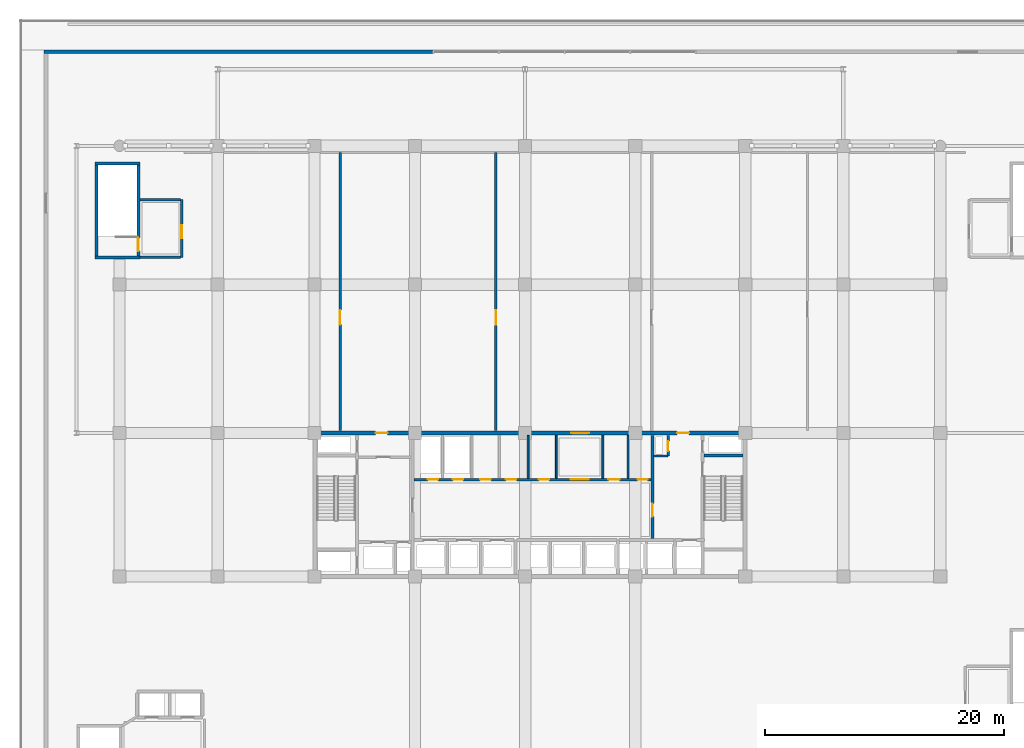
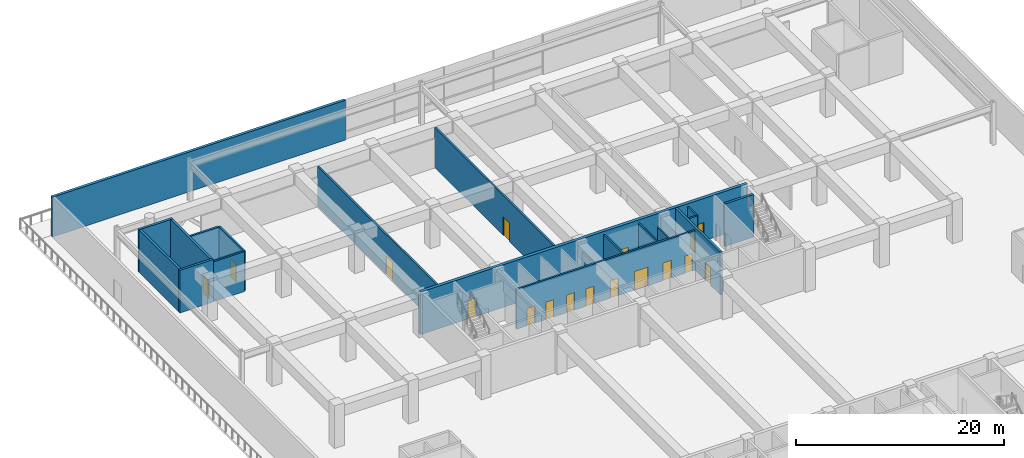
# One storey, part 29 of 38: 20 walls, 17 doors, 17 openings.
"""IFC4 building model written with IfcOpenShell, lengths in metres."""

from ifc_helpers import new_model, si_unit, direction, frame, frame_2d, origin, place, context, subcontext, project, spatial, rectangle, extrude, material, layer, layer_set, type_object, element, fill, save


model = new_model("IFC4")

# Units and contexts
model_context = context("Model", 3, precision=1e-05, world=origin(), true_north=direction((0.0, 1.0)))
body_context = subcontext(model_context, "Body", "Model", "MODEL_VIEW")
ifc_project = project(units=[si_unit("LENGTHUNIT", "METRE"), si_unit("AREAUNIT", "SQUARE_METRE"), si_unit("VOLUMEUNIT", "CUBIC_METRE"), si_unit("PLANEANGLEUNIT", "RADIAN"), si_unit("MASSUNIT", "GRAM", prefix="KILO")], contexts=[model_context])

# Site, building, storey
site_placement = place(None, origin())
site = spatial("IfcSite", under=ifc_project, at=site_placement, CompositionType="ELEMENT")
building_placement = place(site_placement, origin())
building = spatial("IfcBuilding", under=site, at=building_placement, Name="Korimba Cascade Residences", CompositionType="ELEMENT")
storey_placement = place(building_placement, frame((0.0, 0.0, 19.0)))
storey = spatial("IfcBuildingStorey", under=building, at=storey_placement, Name="L04", CompositionType="ELEMENT", Elevation=19.0)

# Wall
ifc_material_1 = material(Name="Precast concrete C40/50", Category="concrete")
ifc_layer_1 = layer(ifc_material_1, 0.300048828125)
ifc_layer_set_1 = layer_set([ifc_layer_1], Name="Precast concrete C40/50")
wall_type_1 = type_object("IfcWallType", Name="EW-STONE-300", PredefinedType="STANDARD", material=ifc_layer_set_1)
wall_1_placement = place(storey_placement, frame((86.0, 99.050048828125, 0.0), z_axis=(0.0, 0.0, 1.0), x_axis=(-1.0, 0.0, 0.0)))
element("IfcWall", 1, at=wall_1_placement, inside=storey, type_object=wall_type_1, Name="L04 North-West Podium Wall", PredefinedType="STANDARD", context=body_context, shape_type="SweptSolid", body=[
    extrude(rectangle(XDim=32.5, YDim=0.300048828125, at=frame_2d((16.25, 0.0))), origin(), (0.0, 0.0, 1.0), 4.679931640625),
])

# Wall, openings, doors
ifc_material_2 = material(Name="Concrete C65/80", Category="concrete")
ifc_layer_2 = layer(ifc_material_2, 0.35009765625)
ifc_layer_set_2 = layer_set([ifc_layer_2], Name="Concrete C65/80")
wall_type_2 = type_object("IfcWallType", Name="WAL-CORE-350", PredefinedType="SHEAR", material=ifc_layer_set_2)
wall_2_placement = place(storey_placement, frame((75.949951171875, 67.199951171875, 0.0), z_axis=(0.0, 0.0, 1.0), x_axis=(1.0, 0.0, 0.0)))
wall_2 = element("IfcWall", 2, at=wall_2_placement, inside=storey, type_object=wall_type_2, Name="L04 Core Shear Wall CW-L04-T1-N", PredefinedType="SHEAR", context=body_context, shape_type="SweptSolid", body=[
    extrude(rectangle(XDim=36.300048828125, YDim=0.35009765625, at=frame_2d((18.14990234375, 0.0))), origin(), (0.0, 0.0, 1.0), 5.0),
])
opening_1_placement = place(wall_2_placement, frame((5.25, 0.0, 0.0)))
opening_1 = element("IfcOpeningElement", 3, at=opening_1_placement, cuts=wall_2, Name="Opening D-FD5", PredefinedType="OPENING", context=body_context, shape_type="SweptSolid", body=[
    extrude(rectangle(XDim=1.0, YDim=2.14990234375, at=frame_2d((0.5, 1.074951171875))), frame((0.0, 0.18505859375, 0.0), z_axis=(0.0, -1.0, 0.0), x_axis=(1.0, 0.0, 0.0)), (0.0, 0.0, 1.0), 0.3701171875),
])
opening_2_placement = place(wall_2_placement, frame((21.60009765625, 0.0, 0.0)))
opening_2 = element("IfcOpeningElement", 4, at=opening_2_placement, cuts=wall_2, Name="Opening D-FD8", PredefinedType="OPENING", context=body_context, shape_type="SweptSolid", body=[
    extrude(rectangle(XDim=1.5, YDim=2.199951171875, at=frame_2d((0.75, 1.10009765625))), frame((0.0, 0.18505859375, 0.0), z_axis=(0.0, -1.0, 0.0), x_axis=(1.0, 0.0, 0.0)), (0.0, 0.0, 1.0), 0.3701171875),
])
opening_3_placement = place(wall_2_placement, frame((30.449951171875, 0.0, 0.0)))
opening_3 = element("IfcOpeningElement", 5, at=opening_3_placement, cuts=wall_2, Name="Opening D-FD5", PredefinedType="OPENING", context=body_context, shape_type="SweptSolid", body=[
    extrude(rectangle(XDim=1.0, YDim=2.14990234375, at=frame_2d((0.5, 1.074951171875))), frame((0.0, 0.18505859375, 0.0), z_axis=(0.0, -1.0, 0.0), x_axis=(1.0, 0.0, 0.0)), (0.0, 0.0, 1.0), 0.3701171875),
])
ifc_material_3 = material(Name="Fire-Rated Acoustic Timber Vestibule Door", Category="wood")
door_type_1 = type_object("IfcDoorType", Name="DR-FD90-1000", OperationType="NOTDEFINED", PredefinedType="DOOR", material=ifc_material_3)
door_1_placement = place(opening_1_placement, origin())
door_1 = element("IfcDoor", 6, at=door_1_placement, inside=storey, type_object=door_type_1, Name="L04 T1 West Core Vestibule Fire Door", OperationType="SINGLE_SWING_RIGHT", OverallHeight=2.14990234375, OverallWidth=1.0, PredefinedType="DOOR", context=body_context, shape_type="SweptSolid", body=[
    extrude(rectangle(XDim=1.0, YDim=2.14990234375, at=frame_2d((0.5, 1.074951171875))), frame((0.0, 0.02490234375, 0.0), z_axis=(0.0, -1.0, 0.0), x_axis=(1.0, 0.0, 0.0)), (0.0, 0.0, 1.0), 0.050048828125),
])
fill(opening_1, door_1)
door_2_placement = place(opening_3_placement, origin())
door_2 = element("IfcDoor", 7, at=door_2_placement, inside=storey, type_object=door_type_1, Name="L04 T1 East Firefighting Vestibule Fire Door", OperationType="SINGLE_SWING_LEFT", OverallHeight=2.14990234375, OverallWidth=1.0, PredefinedType="DOOR", context=body_context, shape_type="SweptSolid", body=[
    extrude(rectangle(XDim=1.0, YDim=2.14990234375, at=frame_2d((0.5, 1.074951171875))), frame((0.0, 0.02490234375, 0.0), z_axis=(0.0, -1.0, 0.0), x_axis=(1.0, 0.0, 0.0)), (0.0, 0.0, 1.0), 0.050048828125),
])
fill(opening_3, door_2)
ifc_material_4 = material(Name="Fire-Rated Glazed Lift Lobby Double Door", Category="glass")
door_type_2 = type_object("IfcDoorType", Name="DR-FD90-1500", OperationType="NOTDEFINED", PredefinedType="DOOR", material=ifc_material_4)
door_3_placement = place(opening_2_placement, origin())
door_3 = element("IfcDoor", 8, at=door_3_placement, inside=storey, type_object=door_type_2, Name="L04 T1 Lift Lobby Fire Door", OperationType="DOUBLE_DOOR_SINGLE_SWING", OverallHeight=2.199951171875, OverallWidth=1.5, PredefinedType="DOOR", context=body_context, shape_type="SweptSolid", body=[
    extrude(rectangle(XDim=1.5, YDim=2.199951171875, at=frame_2d((0.75, 1.10009765625))), frame((0.0, 0.02490234375, 0.0), z_axis=(0.0, -1.0, 0.0), x_axis=(1.0, 0.0, 0.0)), (0.0, 0.0, 1.0), 0.050048828125),
])
fill(opening_2, door_3)

# Walls
ifc_material_5 = material(Name="Insulated Acoustic Stud Partition", Category="gypsum")
ifc_layer_3 = layer(ifc_material_5, 0.14990234375)
ifc_layer_set_3 = layer_set([ifc_layer_3], Name="Insulated Acoustic Stud Partition")
wall_type_3 = type_object("IfcWallType", Name="WAL-PART-150", PredefinedType="PARTITIONING", material=ifc_layer_set_3)
for number, where, z_axis, x_axis, name in (
    (9, (93.949951171875, 63.39990234375, 0.0), (0.0, 0.0, 1.0), (0.0, 1.0, 0.0), "L04 Partition Wall CW-L04-T1-CA1W2"),
    (10, (102.300048828125, 63.39990234375, 0.0), (0.0, 0.0, 1.0), (0.0, 1.0, 0.0), "L04 Partition Wall CW-L04-T1-CA1E1"),
):
    element("IfcWall", number, at=place(storey_placement, frame(where, z_axis=z_axis, x_axis=x_axis)), inside=storey, type_object=wall_type_3, Name=name, PredefinedType="PARTITIONING", context=body_context, shape_type="SweptSolid", body=[
        extrude(rectangle(XDim=3.60009765625, YDim=0.14990234375, at=frame_2d((1.800048828125, 0.0))), origin(), (0.0, 0.0, 1.0), 3.429931640625),
    ])
for number, where, z_axis, x_axis, name in (
    (11, (96.300048828125, 63.39990234375, 0.0), (0.0, 0.0, 1.0), (0.0, 1.0, 0.0), "L04 Partition Wall CW-L04-T1-THW"),
    (12, (100.199951171875, 63.39990234375, 0.0), (0.0, 0.0, 1.0), (0.0, 1.0, 0.0), "L04 Partition Wall CW-L04-T1-THE"),
):
    element("IfcWall", number, at=place(storey_placement, frame(where, z_axis=z_axis, x_axis=x_axis)), inside=storey, type_object=wall_type_3, Name=name, PredefinedType="PARTITIONING", context=body_context, shape_type="SweptSolid", body=[
        extrude(rectangle(XDim=3.60009765625, YDim=0.14990234375, at=frame_2d((1.800048828125, 0.0))), origin(), (0.0, 0.0, 1.0), 4.679931640625),
    ])

# Wall, openings, doors
ifc_material_6 = material(Name="Concrete C40/50", Category="concrete")
ifc_layer_4 = layer(ifc_material_6, 0.199951171875)
ifc_layer_set_4 = layer_set([ifc_layer_4], Name="Concrete C40/50")
wall_type_4 = type_object("IfcWallType", Name="WAL-PART-200", PredefinedType="PARTITIONING", material=ifc_layer_set_4)
wall_3_placement = place(storey_placement, frame((84.419921875, 63.300048828125, 0.0), z_axis=(0.0, 0.0, 1.0), x_axis=(1.0, 0.0, 0.0)))
wall_3 = element("IfcWall", 13, at=wall_3_placement, inside=storey, type_object=wall_type_4, Name="L04 Partition Wall CW-L04-T1-SRVROW", PredefinedType="PARTITIONING", context=body_context, shape_type="SweptSolid", body=[
    extrude(rectangle(XDim=19.830078125, YDim=0.199951171875, at=frame_2d((9.9150390625, 0.0))), origin(), (0.0, 0.0, 1.0), 4.679931640625),
])
opening_4_placement = place(wall_3_placement, frame((1.14990234375, 0.0, 0.0)))
opening_4 = element("IfcOpeningElement", 14, at=opening_4_placement, cuts=wall_3, Name="Opening D-RS1", PredefinedType="OPENING", context=body_context, shape_type="SweptSolid", body=[
    extrude(rectangle(XDim=0.85009765625, YDim=2.050048828125, at=frame_2d((0.425048828125, 1.02490234375))), frame((0.0, 0.10986328125, 0.0), z_axis=(0.0, -1.0, 0.0), x_axis=(1.0, 0.0, 0.0)), (0.0, 0.0, 1.0), 0.219970703125),
])
opening_5_placement = place(wall_3_placement, frame((3.25, 0.0, 0.0)))
opening_5 = element("IfcOpeningElement", 15, at=opening_5_placement, cuts=wall_3, Name="Opening D-RS1", PredefinedType="OPENING", context=body_context, shape_type="SweptSolid", body=[
    extrude(rectangle(XDim=0.85009765625, YDim=2.050048828125, at=frame_2d((0.425048828125, 1.02490234375))), frame((0.0, 0.10986328125, 0.0), z_axis=(0.0, -1.0, 0.0), x_axis=(1.0, 0.0, 0.0)), (0.0, 0.0, 1.0), 0.219970703125),
])
opening_6_placement = place(wall_3_placement, frame((13.080078125, 0.0, 0.0)))
opening_6 = element("IfcOpeningElement", 16, at=opening_6_placement, cuts=wall_3, Name="Opening D-FD8", PredefinedType="OPENING", context=body_context, shape_type="SweptSolid", body=[
    extrude(rectangle(XDim=1.5, YDim=2.199951171875, at=frame_2d((0.75, 1.10009765625))), frame((0.0, 0.10986328125, 0.0), z_axis=(0.0, -1.0, 0.0), x_axis=(1.0, 0.0, 0.0)), (0.0, 0.0, 1.0), 0.219970703125),
])
opening_7_placement = place(wall_3_placement, frame((5.530029296875, 0.0, 0.0)))
opening_7 = element("IfcOpeningElement", 17, at=opening_7_placement, cuts=wall_3, Name="Opening D-IN2", PredefinedType="OPENING", context=body_context, shape_type="SweptSolid", body=[
    extrude(rectangle(XDim=0.8798828125, YDim=2.06005859375, at=frame_2d((0.43994140625, 1.030029296875))), frame((0.0, 0.10986328125, 0.0), z_axis=(0.0, -1.0, 0.0), x_axis=(1.0, 0.0, 0.0)), (0.0, 0.0, 1.0), 0.219970703125),
])
opening_8_placement = place(wall_3_placement, frame((7.679931640625, 0.0, 0.0)))
opening_8 = element("IfcOpeningElement", 18, at=opening_8_placement, cuts=wall_3, Name="Opening D-IN2", PredefinedType="OPENING", context=body_context, shape_type="SweptSolid", body=[
    extrude(rectangle(XDim=0.8798828125, YDim=2.06005859375, at=frame_2d((0.43994140625, 1.030029296875))), frame((0.0, 0.10986328125, 0.0), z_axis=(0.0, -1.0, 0.0), x_axis=(1.0, 0.0, 0.0)), (0.0, 0.0, 1.0), 0.219970703125),
])
opening_9_placement = place(wall_3_placement, frame((10.429931640625, 0.0, 0.0)))
opening_9 = element("IfcOpeningElement", 19, at=opening_9_placement, cuts=wall_3, Name="Opening D-RS1", PredefinedType="OPENING", context=body_context, shape_type="SweptSolid", body=[
    extrude(rectangle(XDim=0.85009765625, YDim=2.050048828125, at=frame_2d((0.425048828125, 1.02490234375))), frame((0.0, 0.10986328125, 0.0), z_axis=(0.0, -1.0, 0.0), x_axis=(1.0, 0.0, 0.0)), (0.0, 0.0, 1.0), 0.219970703125),
])
opening_10_placement = place(wall_3_placement, frame((16.22998046875, 0.0, 0.0)))
opening_10 = element("IfcOpeningElement", 20, at=opening_10_placement, cuts=wall_3, Name="Opening D-AC1", PredefinedType="OPENING", context=body_context, shape_type="SweptSolid", body=[
    extrude(rectangle(XDim=0.9599609375, YDim=2.10009765625, at=frame_2d((0.47998046875, 1.050048828125))), frame((0.0, 0.10986328125, 0.0), z_axis=(0.0, -1.0, 0.0), x_axis=(1.0, 0.0, 0.0)), (0.0, 0.0, 1.0), 0.219970703125),
])
opening_11_placement = place(wall_3_placement, frame((18.679931640625, 0.0, 0.0)))
opening_11 = element("IfcOpeningElement", 21, at=opening_11_placement, cuts=wall_3, Name="Opening D-BT1", PredefinedType="OPENING", context=body_context, shape_type="SweptSolid", body=[
    extrude(rectangle(XDim=0.840087890625, YDim=2.0400390625, at=frame_2d((0.419921875, 1.02001953125))), frame((0.0, 0.10986328125, 0.0), z_axis=(0.0, -1.0, 0.0), x_axis=(1.0, 0.0, 0.0)), (0.0, 0.0, 1.0), 0.219970703125),
])
ifc_material_7 = material(Name="Accessible Acoustic Timber WC Door", Category="wood")
door_type_3 = type_object("IfcDoorType", Name="DR-ACC-950", OperationType="NOTDEFINED", PredefinedType="DOOR", material=ifc_material_7)
door_4_placement = place(opening_10_placement, origin())
door_4 = element("IfcDoor", 22, at=door_4_placement, inside=storey, type_object=door_type_3, Name="L04 Accessible Staff WC Door", OperationType="SINGLE_SWING_LEFT", OverallHeight=2.10009765625, OverallWidth=0.9599609375, PredefinedType="DOOR", context=body_context, shape_type="SweptSolid", body=[
    extrude(rectangle(XDim=0.9599609375, YDim=2.10009765625, at=frame_2d((0.47998046875, 1.050048828125))), frame((0.0, 0.02490234375, 0.0), z_axis=(0.0, -1.0, 0.0), x_axis=(1.0, 0.0, 0.0)), (0.0, 0.0, 1.0), 0.050048828125),
])
fill(opening_10, door_4)
ifc_material_8 = material(Name="Fire-Rated Steel Riser Access Door", Category="steel")
door_type_4 = type_object("IfcDoorType", Name="DR-FD60-850", OperationType="NOTDEFINED", PredefinedType="DOOR", material=ifc_material_8)
door_5_placement = place(opening_4_placement, origin())
door_5 = element("IfcDoor", 23, at=door_5_placement, inside=storey, type_object=door_type_4, Name="L04 Electrical Riser Door", OperationType="SINGLE_SWING_RIGHT", OverallHeight=2.050048828125, OverallWidth=0.85009765625, PredefinedType="DOOR", context=body_context, shape_type="SweptSolid", body=[
    extrude(rectangle(XDim=0.85009765625, YDim=2.050048828125, at=frame_2d((0.425048828125, 1.02490234375))), frame((0.0, 0.02490234375, 0.0), z_axis=(0.0, -1.0, 0.0), x_axis=(1.0, 0.0, 0.0)), (0.0, 0.0, 1.0), 0.050048828125),
])
fill(opening_4, door_5)
door_6_placement = place(opening_5_placement, origin())
door_6 = element("IfcDoor", 24, at=door_6_placement, inside=storey, type_object=door_type_4, Name="L04 Plumbing Riser Door", OperationType="SINGLE_SWING_LEFT", OverallHeight=2.050048828125, OverallWidth=0.85009765625, PredefinedType="DOOR", context=body_context, shape_type="SweptSolid", body=[
    extrude(rectangle(XDim=0.85009765625, YDim=2.050048828125, at=frame_2d((0.425048828125, 1.02490234375))), frame((0.0, 0.02490234375, 0.0), z_axis=(0.0, -1.0, 0.0), x_axis=(1.0, 0.0, 0.0)), (0.0, 0.0, 1.0), 0.050048828125),
])
fill(opening_5, door_6)
door_7_placement = place(opening_9_placement, origin())
door_7 = element("IfcDoor", 25, at=door_7_placement, inside=storey, type_object=door_type_4, Name="L04 IT Room Door", OperationType="SINGLE_SWING_RIGHT", OverallHeight=2.050048828125, OverallWidth=0.85009765625, PredefinedType="DOOR", context=body_context, shape_type="SweptSolid", body=[
    extrude(rectangle(XDim=0.85009765625, YDim=2.050048828125, at=frame_2d((0.425048828125, 1.02490234375))), frame((0.0, 0.02490234375, 0.0), z_axis=(0.0, -1.0, 0.0), x_axis=(1.0, 0.0, 0.0)), (0.0, 0.0, 1.0), 0.050048828125),
])
fill(opening_9, door_7)
door_8_placement = place(opening_6_placement, origin())
door_8 = element("IfcDoor", 26, at=door_8_placement, inside=storey, type_object=door_type_2, Name="L04 Lift Lobby Foyer Archway Door", OperationType="DOUBLE_DOOR_SINGLE_SWING", OverallHeight=2.199951171875, OverallWidth=1.5, PredefinedType="DOOR", context=body_context, shape_type="SweptSolid", body=[
    extrude(rectangle(XDim=1.5, YDim=2.199951171875, at=frame_2d((0.75, 1.10009765625))), frame((0.0, 0.02490234375, 0.0), z_axis=(0.0, -1.0, 0.0), x_axis=(1.0, 0.0, 0.0)), (0.0, 0.0, 1.0), 0.050048828125),
])
fill(opening_6, door_8)
ifc_material_9 = material(Name="Moisture-Resistant Bathroom Timber Door", Category="wood")
door_type_5 = type_object("IfcDoorType", Name="DR-INT-850", OperationType="NOTDEFINED", PredefinedType="DOOR", material=ifc_material_9)
door_9_placement = place(opening_11_placement, origin())
door_9 = element("IfcDoor", 27, at=door_9_placement, inside=storey, type_object=door_type_5, Name="L04 Vending Room Door", OperationType="SINGLE_SWING_RIGHT", OverallHeight=2.0400390625, OverallWidth=0.840087890625, PredefinedType="DOOR", context=body_context, shape_type="SweptSolid", body=[
    extrude(rectangle(XDim=0.840087890625, YDim=2.0400390625, at=frame_2d((0.419921875, 1.02001953125))), frame((0.0, 0.02490234375, 0.0), z_axis=(0.0, -1.0, 0.0), x_axis=(1.0, 0.0, 0.0)), (0.0, 0.0, 1.0), 0.050048828125),
])
fill(opening_11, door_9)
ifc_material_10 = material(Name="Acoustic Timber Bedroom Door", Category="wood")
door_type_6 = type_object("IfcDoorType", Name="DR-INT-880", OperationType="NOTDEFINED", PredefinedType="DOOR", material=ifc_material_10)
door_10_placement = place(opening_7_placement, origin())
door_10 = element("IfcDoor", 28, at=door_10_placement, inside=storey, type_object=door_type_6, Name="L04 Cleaners Door", OperationType="SINGLE_SWING_RIGHT", OverallHeight=2.06005859375, OverallWidth=0.8798828125, PredefinedType="DOOR", context=body_context, shape_type="SweptSolid", body=[
    extrude(rectangle(XDim=0.8798828125, YDim=2.06005859375, at=frame_2d((0.43994140625, 1.030029296875))), frame((0.0, 0.02490234375, 0.0), z_axis=(0.0, -1.0, 0.0), x_axis=(1.0, 0.0, 0.0)), (0.0, 0.0, 1.0), 0.050048828125),
])
fill(opening_7, door_10)
door_11_placement = place(opening_8_placement, origin())
door_11 = element("IfcDoor", 29, at=door_11_placement, inside=storey, type_object=door_type_6, Name="L04 Pantry Door", OperationType="SINGLE_SWING_LEFT", OverallHeight=2.06005859375, OverallWidth=0.8798828125, PredefinedType="DOOR", context=body_context, shape_type="SweptSolid", body=[
    extrude(rectangle(XDim=0.8798828125, YDim=2.06005859375, at=frame_2d((0.43994140625, 1.030029296875))), frame((0.0, 0.02490234375, 0.0), z_axis=(0.0, -1.0, 0.0), x_axis=(1.0, 0.0, 0.0)), (0.0, 0.0, 1.0), 0.050048828125),
])
fill(opening_8, door_11)

# Wall
wall_4_placement = place(storey_placement, frame((104.449951171875, 65.280029296875, 0.0), z_axis=(0.0, 0.0, 1.0), x_axis=(1.0, 0.0, 0.0)))
element("IfcWall", 30, at=wall_4_placement, inside=storey, type_object=wall_type_4, Name="L04 Partition Wall CW-L04-T1-HYDW2S", PredefinedType="PARTITIONING", context=body_context, shape_type="SweptSolid", body=[
    extrude(rectangle(XDim=1.199951171875, YDim=0.199951171875, at=frame_2d((0.60009765625, 0.0))), origin(), (0.0, 0.0, 1.0), 4.679931640625),
])

# Wall, opening, door
wall_5_placement = place(storey_placement, frame((105.64990234375, 65.280029296875, 0.0), z_axis=(0.0, 0.0, 1.0), x_axis=(0.0, 1.0, 0.0)))
wall_5 = element("IfcWall", 31, at=wall_5_placement, inside=storey, type_object=wall_type_4, Name="L04 Partition Wall CW-L04-T1-HYDW2E", PredefinedType="PARTITIONING", context=body_context, shape_type="SweptSolid", body=[
    extrude(rectangle(XDim=1.719970703125, YDim=0.199951171875, at=frame_2d((0.85986328125, 0.0))), origin(), (0.0, 0.0, 1.0), 4.679931640625),
])
opening_12_placement = place(wall_5_placement, frame((0.39990234375, 0.0, 0.0)))
opening_12 = element("IfcOpeningElement", 32, at=opening_12_placement, cuts=wall_5, Name="Opening D-RS1", PredefinedType="OPENING", context=body_context, shape_type="SweptSolid", body=[
    extrude(rectangle(XDim=0.85009765625, YDim=2.050048828125, at=frame_2d((0.425048828125, 1.02490234375))), frame((0.0, 0.10986328125, 0.0), z_axis=(0.0, -1.0, 0.0), x_axis=(1.0, 0.0, 0.0)), (0.0, 0.0, 1.0), 0.219970703125),
])
door_12_placement = place(opening_12_placement, origin())
door_12 = element("IfcDoor", 33, at=door_12_placement, inside=storey, type_object=door_type_4, Name="L04 East Hydrant Door", OperationType="SINGLE_SWING_LEFT", OverallHeight=2.050048828125, OverallWidth=0.85009765625, PredefinedType="DOOR", context=body_context, shape_type="SweptSolid", body=[
    extrude(rectangle(XDim=0.85009765625, YDim=2.050048828125, at=frame_2d((0.425048828125, 1.02490234375))), frame((0.0, 0.02490234375, 0.0), z_axis=(0.0, -1.0, 0.0), x_axis=(1.0, 0.0, 0.0)), (0.0, 0.0, 1.0), 0.050048828125),
])
fill(opening_12, door_12)

wall_6_placement = place(storey_placement, frame((65.0, 81.875, 0.0), z_axis=(0.0, 0.0, 1.0), x_axis=(0.0, 1.0, 0.0)))
wall_6 = element("IfcWall", 34, at=wall_6_placement, inside=storey, type_object=wall_type_4, Name="L04 Partition Wall CW-L04-PL5E", PredefinedType="PARTITIONING", context=body_context, shape_type="SweptSolid", body=[
    extrude(rectangle(XDim=4.824951171875, YDim=0.199951171875, at=frame_2d((2.41259765625, 0.0))), origin(), (0.0, 0.0, 1.0), 4.679931640625),
])
opening_13_placement = place(wall_6_placement, frame((1.60009765625, 0.0, 0.0)))
opening_13 = element("IfcOpeningElement", 35, at=opening_13_placement, cuts=wall_6, Name="Opening D-FD6", PredefinedType="OPENING", context=body_context, shape_type="SweptSolid", body=[
    extrude(rectangle(XDim=1.10009765625, YDim=2.14990234375, at=frame_2d((0.550048828125, 1.074951171875))), frame((0.0, 0.10986328125, 0.0), z_axis=(0.0, -1.0, 0.0), x_axis=(1.0, 0.0, 0.0)), (0.0, 0.0, 1.0), 0.219970703125),
])
ifc_material_11 = material(Name="Fire-Rated Timber Stair Lobby Door", Category="wood")
door_type_7 = type_object("IfcDoorType", Name="DR-FD90-1100", OperationType="NOTDEFINED", PredefinedType="DOOR", material=ifc_material_11)
door_13_placement = place(opening_13_placement, origin())
door_13 = element("IfcDoor", 36, at=door_13_placement, inside=storey, type_object=door_type_7, Name="L04 North-West Stair Vestibule Door", OperationType="SINGLE_SWING_RIGHT", OverallHeight=2.14990234375, OverallWidth=1.10009765625, PredefinedType="DOOR", context=body_context, shape_type="SweptSolid", body=[
    extrude(rectangle(XDim=1.10009765625, YDim=2.14990234375, at=frame_2d((0.550048828125, 1.074951171875))), frame((0.0, 0.02490234375, 0.0), z_axis=(0.0, -1.0, 0.0), x_axis=(1.0, 0.0, 0.0)), (0.0, 0.0, 1.0), 0.050048828125),
])
fill(opening_13, door_13)

# Walls
for number, where, z_axis, x_axis, name in (
    (37, (61.5, 81.875, 0.0), (0.0, 0.0, 1.0), (1.0, 0.0, 0.0), "L04 Partition Wall CW-L04-PL5S"),
    (38, (61.5, 86.699951171875, 0.0), (0.0, 0.0, 1.0), (1.0, 0.0, 0.0), "L04 Partition Wall CW-L04-PL5N"),
):
    element("IfcWall", number, at=place(storey_placement, frame(where, z_axis=z_axis, x_axis=x_axis)), inside=storey, type_object=wall_type_4, Name=name, PredefinedType="PARTITIONING", context=body_context, shape_type="SweptSolid", body=[
        extrude(rectangle(XDim=3.39990234375, YDim=0.199951171875, at=frame_2d((1.699951171875, 0.0))), origin(), (0.0, 0.0, 1.0), 4.679931640625),
    ])

# Wall, opening, door
wall_7_placement = place(storey_placement, frame((78.239990234375, 67.39990234375, 0.0), z_axis=(0.0, 0.0, 1.0), x_axis=(0.0, 1.0, 0.0)))
wall_7 = element("IfcWall", 39, at=wall_7_placement, inside=storey, type_object=wall_type_4, Name="L04 Partition Wall WAL-L04-NDIV1", PredefinedType="PARTITIONING", context=body_context, shape_type="SweptSolid", body=[
    extrude(rectangle(XDim=23.25, YDim=0.199951171875, at=frame_2d((11.625, 0.0))), origin(), (0.0, 0.0, 1.0), 4.679931640625),
])
opening_14_placement = place(wall_7_placement, frame((8.85205078125, 0.0, 0.0)))
opening_14 = element("IfcOpeningElement", 40, at=opening_14_placement, cuts=wall_7, Name="Opening D-AM1", PredefinedType="OPENING", context=body_context, shape_type="SweptSolid", body=[
    extrude(rectangle(XDim=1.219970703125, YDim=2.179931640625, at=frame_2d((0.60986328125, 1.08984375))), frame((0.0, 0.10986328125, 0.0), z_axis=(0.0, -1.0, 0.0), x_axis=(1.0, 0.0, 0.0)), (0.0, 0.0, 1.0), 0.219970703125),
])
ifc_material_12 = material(Name="Fire-Rated Glazed Timber Suite Door", Category="wood")
door_type_8 = type_object("IfcDoorType", Name="DR-FD60-1200", OperationType="NOTDEFINED", PredefinedType="DOOR", material=ifc_material_12)
door_14_placement = place(opening_14_placement, origin())
door_14 = element("IfcDoor", 41, at=door_14_placement, inside=storey, type_object=door_type_8, Name="L04 North Podium Link Door 1", OperationType="SINGLE_SWING_LEFT", OverallHeight=2.179931640625, OverallWidth=1.219970703125, PredefinedType="DOOR", context=body_context, shape_type="SweptSolid", body=[
    extrude(rectangle(XDim=1.219970703125, YDim=2.179931640625, at=frame_2d((0.60986328125, 1.08984375))), frame((0.0, 0.02490234375, 0.0), z_axis=(0.0, -1.0, 0.0), x_axis=(1.0, 0.0, 0.0)), (0.0, 0.0, 1.0), 0.050048828125),
])
fill(opening_14, door_14)

wall_8_placement = place(storey_placement, frame((91.260009765625, 67.39990234375, 0.0), z_axis=(0.0, 0.0, 1.0), x_axis=(0.0, 1.0, 0.0)))
wall_8 = element("IfcWall", 42, at=wall_8_placement, inside=storey, type_object=wall_type_4, Name="L04 Partition Wall WAL-L04-NDIV2", PredefinedType="PARTITIONING", context=body_context, shape_type="SweptSolid", body=[
    extrude(rectangle(XDim=23.25, YDim=0.199951171875, at=frame_2d((11.625, 0.0))), origin(), (0.0, 0.0, 1.0), 4.679931640625),
])
opening_15_placement = place(wall_8_placement, frame((8.85205078125, 0.0, 0.0)))
opening_15 = element("IfcOpeningElement", 43, at=opening_15_placement, cuts=wall_8, Name="Opening D-AM1", PredefinedType="OPENING", context=body_context, shape_type="SweptSolid", body=[
    extrude(rectangle(XDim=1.219970703125, YDim=2.179931640625, at=frame_2d((0.60986328125, 1.08984375))), frame((0.0, 0.10986328125, 0.0), z_axis=(0.0, -1.0, 0.0), x_axis=(1.0, 0.0, 0.0)), (0.0, 0.0, 1.0), 0.219970703125),
])
door_15_placement = place(opening_15_placement, origin())
door_15 = element("IfcDoor", 44, at=door_15_placement, inside=storey, type_object=door_type_8, Name="L04 North Podium Link Door 2", OperationType="SINGLE_SWING_RIGHT", OverallHeight=2.179931640625, OverallWidth=1.219970703125, PredefinedType="DOOR", context=body_context, shape_type="SweptSolid", body=[
    extrude(rectangle(XDim=1.219970703125, YDim=2.179931640625, at=frame_2d((0.60986328125, 1.08984375))), frame((0.0, 0.02490234375, 0.0), z_axis=(0.0, -1.0, 0.0), x_axis=(1.0, 0.0, 0.0)), (0.0, 0.0, 1.0), 0.050048828125),
])
fill(opening_15, door_15)

ifc_material_13 = material(Name="Concrete C50/60", Category="concrete")
ifc_layer_5 = layer(ifc_material_13, 0.25)
ifc_layer_set_5 = layer_set([ifc_layer_5], Name="Concrete C50/60")
wall_type_5 = type_object("IfcWallType", Name="WAL-SHAFT-250", PredefinedType="SHEAR", material=ifc_layer_set_5)
wall_9_placement = place(storey_placement, frame((104.35009765625, 58.39990234375, 0.0), z_axis=(0.0, 0.0, 1.0), x_axis=(0.0, 1.0, 0.0)))
wall_9 = element("IfcWall", 45, at=wall_9_placement, inside=storey, type_object=wall_type_5, Name="L04 Core Shear Wall CW-L04-T1-LLEV", PredefinedType="SHEAR", context=body_context, shape_type="SweptSolid", body=[
    extrude(rectangle(XDim=8.60009765625, YDim=0.25, at=frame_2d((4.300048828125, 0.0))), origin(), (0.0, 0.0, 1.0), 5.0),
])
opening_16_placement = place(wall_9_placement, frame((1.800048828125, 0.0, 0.0)))
opening_16 = element("IfcOpeningElement", 46, at=opening_16_placement, cuts=wall_9, Name="Opening D-FD1", PredefinedType="OPENING", context=body_context, shape_type="SweptSolid", body=[
    extrude(rectangle(XDim=1.10009765625, YDim=2.10009765625, at=frame_2d((0.550048828125, 1.050048828125))), frame((0.0, 0.135009765625, 0.0), z_axis=(0.0, -1.0, 0.0), x_axis=(1.0, 0.0, 0.0)), (0.0, 0.0, 1.0), 0.27001953125),
])
ifc_material_14 = material(Name="Fire-Rated Steel Core Door", Category="steel")
door_type_9 = type_object("IfcDoorType", Name="DR-FD120-1100", OperationType="NOTDEFINED", PredefinedType="DOOR", material=ifc_material_14)
door_16_placement = place(opening_16_placement, origin())
door_16 = element("IfcDoor", 47, at=door_16_placement, inside=storey, type_object=door_type_9, Name="L04 Lift Lobby to East Firefighting Lobby Door", OperationType="SINGLE_SWING_RIGHT", OverallHeight=2.10009765625, OverallWidth=1.10009765625, PredefinedType="DOOR", context=body_context, shape_type="SweptSolid", body=[
    extrude(rectangle(XDim=1.10009765625, YDim=2.10009765625, at=frame_2d((0.550048828125, 1.050048828125))), frame((0.0, 0.02490234375, 0.0), z_axis=(0.0, -1.0, 0.0), x_axis=(1.0, 0.0, 0.0)), (0.0, 0.0, 1.0), 0.050048828125),
])
fill(opening_16, door_16)

# Walls
wall_10_placement = place(storey_placement, frame((108.659912109375, 65.324951171875, 0.0), z_axis=(0.0, 0.0, 1.0), x_axis=(1.0, 0.0, 0.0)))
element("IfcWall", 48, at=wall_10_placement, inside=storey, type_object=wall_type_5, Name="L04 Core Shear Wall CW-L04-T1-STW2N", PredefinedType="SHEAR", context=body_context, shape_type="SweptSolid", body=[
    extrude(rectangle(XDim=3.239990234375, YDim=0.25, at=frame_2d((1.6201171875, 0.0))), origin(), (0.0, 0.0, 1.0), 5.0),
])
wall_11_placement = place(storey_placement, frame((57.875, 82.0, 0.0), z_axis=(0.0, 0.0, 1.0), x_axis=(0.0, 1.0, 0.0)))
element("IfcWall", 49, at=wall_11_placement, inside=storey, type_object=wall_type_5, Name="L04 Core Shear Wall CW-L04-STP5W", PredefinedType="SHEAR", context=body_context, shape_type="SweptSolid", body=[
    extrude(rectangle(XDim=7.60009765625, YDim=0.25, at=frame_2d((3.800048828125, 0.0))), origin(), (0.0, 0.0, 1.0), 5.0),
])
for number, where, z_axis, x_axis, name in (
    (50, (57.75, 81.875, 0.0), (0.0, 0.0, 1.0), (1.0, 0.0, 0.0), "L04 Core Shear Wall CW-L04-STP5S"),
    (51, (57.75, 89.72509765625, 0.0), (0.0, 0.0, 1.0), (1.0, 0.0, 0.0), "L04 Core Shear Wall CW-L04-STP5N"),
):
    element("IfcWall", number, at=place(storey_placement, frame(where, z_axis=z_axis, x_axis=x_axis)), inside=storey, type_object=wall_type_5, Name=name, PredefinedType="SHEAR", context=body_context, shape_type="SweptSolid", body=[
        extrude(rectangle(XDim=3.739990234375, YDim=0.25, at=frame_2d((1.8701171875, 0.0))), origin(), (0.0, 0.0, 1.0), 5.0),
    ])

# Wall, opening, door
wall_12_placement = place(storey_placement, frame((61.364990234375, 82.0, 0.0), z_axis=(0.0, 0.0, 1.0), x_axis=(0.0, 1.0, 0.0)))
wall_12 = element("IfcWall", 52, at=wall_12_placement, inside=storey, type_object=wall_type_5, Name="L04 Core Shear Wall CW-L04-STP5E", PredefinedType="SHEAR", context=body_context, shape_type="SweptSolid", body=[
    extrude(rectangle(XDim=7.60009765625, YDim=0.25, at=frame_2d((3.800048828125, 0.0))), origin(), (0.0, 0.0, 1.0), 5.0),
])
opening_17_placement = place(wall_12_placement, frame((0.39990234375, 0.0, 0.0)))
opening_17 = element("IfcOpeningElement", 53, at=opening_17_placement, cuts=wall_12, Name="Opening D-FD1", PredefinedType="OPENING", context=body_context, shape_type="SweptSolid", body=[
    extrude(rectangle(XDim=1.10009765625, YDim=2.10009765625, at=frame_2d((0.550048828125, 1.050048828125))), frame((0.0, 0.135009765625, 0.0), z_axis=(0.0, -1.0, 0.0), x_axis=(1.0, 0.0, 0.0)), (0.0, 0.0, 1.0), 0.27001953125),
])
door_17_placement = place(opening_17_placement, origin())
door_17 = element("IfcDoor", 54, at=door_17_placement, inside=storey, type_object=door_type_9, Name="L04 Podium Stair ST-P5 Door", OperationType="SINGLE_SWING_LEFT", OverallHeight=2.10009765625, OverallWidth=1.10009765625, PredefinedType="DOOR", context=body_context, shape_type="SweptSolid", body=[
    extrude(rectangle(XDim=1.10009765625, YDim=2.10009765625, at=frame_2d((0.550048828125, 1.050048828125))), frame((0.0, 0.02490234375, 0.0), z_axis=(0.0, -1.0, 0.0), x_axis=(1.0, 0.0, 0.0)), (0.0, 0.0, 1.0), 0.050048828125),
])
fill(opening_17, door_17)

save(model, "model.ifc")
